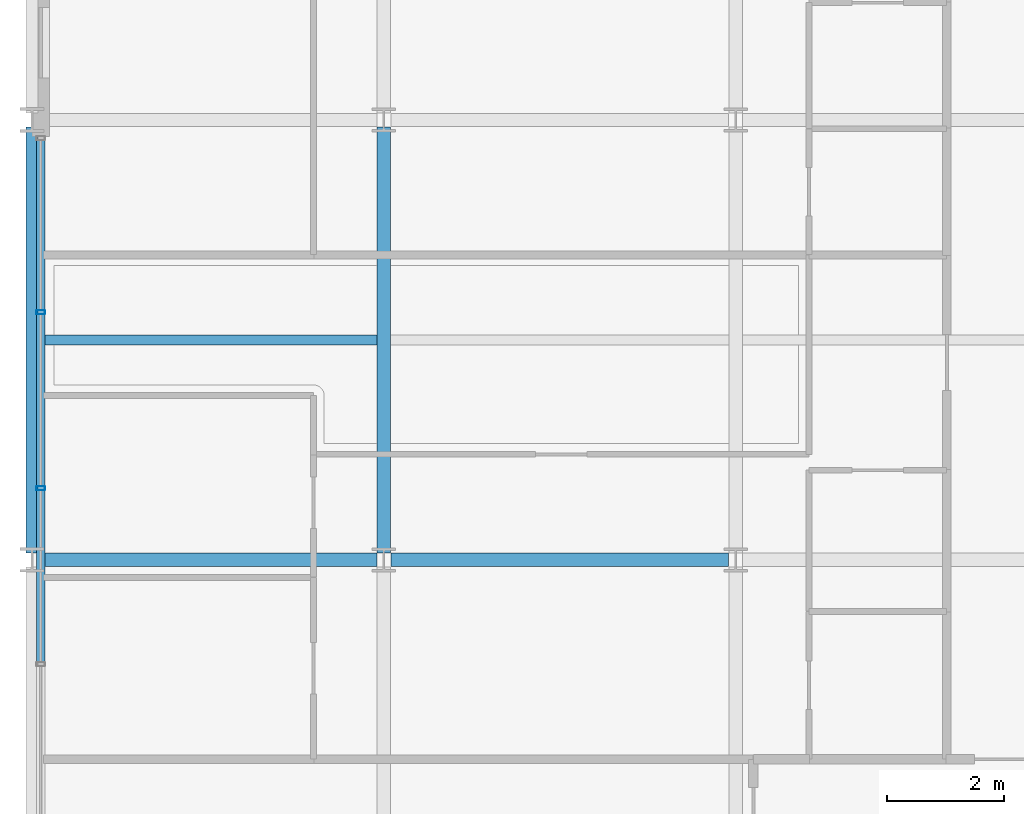
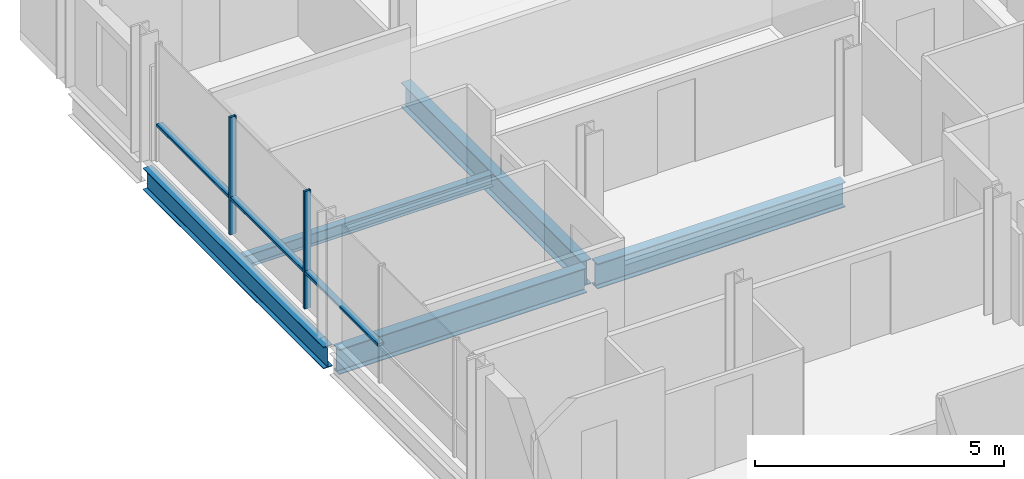
# One storey, part 7 of 41: 5 beams, 5 members, 1 element without a shape of its own.
"""IFC4 building model written with IfcOpenShell, lengths in metres."""

from ifc_helpers import new_model, si_unit, direction, frame, origin, origin_2d, place, context, subcontext, project, spatial, hollow_rectangle, i_section, extrude, material, layer, layer_set, material_profile, profile_set, type_object, element, aggregate, save


model = new_model("IFC4")

# Units and contexts
model_context = context("Model", 3, precision=1e-05, world=origin(), true_north=direction((0.0, 1.0)))
body_context = subcontext(model_context, "Body", "Model", "MODEL_VIEW")
ifc_project = project(units=[si_unit("LENGTHUNIT", "METRE"), si_unit("AREAUNIT", "SQUARE_METRE"), si_unit("VOLUMEUNIT", "CUBIC_METRE"), si_unit("PLANEANGLEUNIT", "RADIAN"), si_unit("MASSUNIT", "GRAM", prefix="KILO")], contexts=[model_context])

# Site, building, storey
site_placement = place(None, origin())
site = spatial("IfcSite", under=ifc_project, at=site_placement, CompositionType="ELEMENT")
building_placement = place(site_placement, origin())
building = spatial("IfcBuilding", under=site, at=building_placement, Name="Brevholm Reach", CompositionType="ELEMENT")
storey_placement = place(building_placement, frame((0.0, 0.0, 157.300048828125)))
storey = spatial("IfcBuildingStorey", under=building, at=storey_placement, Name="L47", CompositionType="ELEMENT", Elevation=157.300048828125)

# Beams
ifc_material_1 = material(Name="Structural Steel S355J2", Category="steel")
ifc_material_profile_1 = material_profile(ifc_material_1, i_section(OverallWidth=0.1650390625, OverallDepth=0.303466796875, WebThickness=0.006103515625, FlangeThickness=0.01025390625, FilletRadius=0.0087890625, at=origin_2d()), Name="UKB 305x165x40")
ifc_profile_set_1 = profile_set([ifc_material_profile_1], Name="Structural Steel S355J2")
beam_type_1 = type_object("IfcBeamType", Name="BM-B305", PredefinedType="BEAM", material=ifc_profile_set_1)
beam_1_placement = place(storey_placement, frame((0.104736328125, 19.75, -0.371826171875), z_axis=(1.0, 0.0, 0.0), x_axis=(0.0, 1.0, 0.0)))
element("IfcBeam", 1, at=beam_1_placement, inside=storey, type_object=beam_type_1, Name="L47 Composite Secondary Floor Beam", PredefinedType="BEAM", context=body_context, shape_type="SweptSolid", body=[
    extrude(i_section(OverallWidth=0.1650390625, OverallDepth=0.303466796875, WebThickness=0.006103515625, FlangeThickness=0.01025390625, FilletRadius=0.0087890625, at=origin_2d()), origin(), (0.0, 0.0, 1.0), 5.78076171875),
])
ifc_material_2 = material(Name="Structural Steel S355J2", Category="steel")
ifc_material_profile_2 = material_profile(ifc_material_2, i_section(OverallWidth=0.209228515625, OverallDepth=0.533203125, WebThickness=0.010009765625, FlangeThickness=0.015625, FilletRadius=0.0126953125, at=origin_2d()), Name="UKB 533x210x92")
ifc_profile_set_2 = profile_set([ifc_material_profile_2], Name="Structural Steel S355J2")
beam_type_2 = type_object("IfcBeamType", Name="BM-SP533", PredefinedType="SPANDREL", material=ifc_profile_set_2)
beam_2_placement = place(storey_placement, frame((0.0, 16.1201171875, -0.486572265625), z_axis=(0.0, 1.0, 0.0), x_axis=(-1.0, 0.0, 0.0)))
element("IfcBeam", 2, at=beam_2_placement, inside=storey, type_object=beam_type_2, Name="L47 SP-02 Framing Beam", PredefinedType="SPANDREL", context=body_context, shape_type="SweptSolid", body=[
    extrude(i_section(OverallWidth=0.209228515625, OverallDepth=0.533203125, WebThickness=0.010009765625, FlangeThickness=0.015625, FilletRadius=0.0126953125, at=origin_2d()), origin(), (0.0, 0.0, 1.0), 7.259765625),
])
ifc_material_3 = material(Name="Structural Steel S355J2", Category="steel")
ifc_material_profile_3 = material_profile(ifc_material_3, i_section(OverallWidth=0.22900390625, OverallDepth=0.6123046875, WebThickness=0.011962890625, FlangeThickness=0.01953125, FilletRadius=0.0126953125, at=origin_2d()), Name="UKB 610x229x125")
ifc_profile_set_3 = profile_set([ifc_material_profile_3], Name="Structural Steel S355J2")
beam_type_3 = type_object("IfcBeamType", Name="BM-SP610", PredefinedType="SPANDREL", material=ifc_profile_set_3)
for number, where, z_axis, x_axis, name in (
    (3, (0.1201171875, 16.0, -0.526123046875), (1.0, 0.0, 0.0), (0.0, 1.0, 0.0), "L47 SP-01 Framing Beam"),
    (4, (6.1201171875, 16.0, -0.526123046875), (1.0, 0.0, 0.0), (0.0, 1.0, 0.0), "L47 SP-01 Framing Beam"),
):
    element("IfcBeam", number, at=place(storey_placement, frame(where, z_axis=z_axis, x_axis=x_axis)), inside=storey, type_object=beam_type_3, Name=name, PredefinedType="SPANDREL", context=body_context, shape_type="SweptSolid", body=[
        extrude(i_section(OverallWidth=0.22900390625, OverallDepth=0.6123046875, WebThickness=0.011962890625, FlangeThickness=0.01953125, FilletRadius=0.0126953125, at=origin_2d()), origin(), (0.0, 0.0, 1.0), 5.759765625),
    ])
beam_3_placement = place(storey_placement, frame((6.0, 16.1201171875, -0.526123046875), z_axis=(0.0, 1.0, 0.0), x_axis=(-1.0, 0.0, 0.0)))
element("IfcBeam", 5, at=beam_3_placement, inside=storey, type_object=beam_type_3, Name="L47 SP-01 Framing Beam", PredefinedType="SPANDREL", context=body_context, shape_type="SweptSolid", body=[
    extrude(i_section(OverallWidth=0.22900390625, OverallDepth=0.6123046875, WebThickness=0.011962890625, FlangeThickness=0.01953125, FilletRadius=0.0126953125, at=origin_2d()), origin(), (0.0, 0.0, 1.0), 7.259765625),
])

# Curtain wall, members
ifc_material_4 = material(Name="Dark Anodised Aluminium 6063-T6 and Solar-Control Glass", Category="aluminium")
ifc_layer = layer(ifc_material_4, 0.14990234375)
ifc_layer_set = layer_set([ifc_layer], Name="Dark Anodised Aluminium 6063-T6 and Solar-Control Glass")
curtain_wall_type = type_object("IfcCurtainWallType", Name="CW-01", PredefinedType="NOTDEFINED", material=ifc_layer_set)
curtain_wall_placement = place(storey_placement, origin())
curtain_wall = element("IfcCurtainWall", 6, at=curtain_wall_placement, inside=storey, type_object=curtain_wall_type, Name="L47 Curtain Wall CW-01", PredefinedType="NOTDEFINED")
ifc_material_5 = material(Name="Dark Anodised Aluminium 6063-T6", Category="aluminium")
ifc_material_profile_4 = material_profile(ifc_material_5, hollow_rectangle(XDim=0.06494140625, YDim=0.14990234375, WallThickness=0.0048828125, InnerFilletRadius=0.0048828125, OuterFilletRadius=0.010009765625, at=origin_2d()), Name="RHS 150x65x5")
ifc_profile_set_4 = profile_set([ifc_material_profile_4], Name="Dark Anodised Aluminium 6063-T6")
member_type_1 = type_object("IfcMemberType", Name="CWM-150", PredefinedType="MULLION", material=ifc_profile_set_4)
member_1_placement = place(storey_placement, frame((0.14990234375, 20.219970703125, 0.0), z_axis=(0.0, 0.0, 1.0), x_axis=(0.0, -1.0, 0.0)))
member_1 = element("IfcMember", 7, at=member_1_placement, type_object=member_type_1, Name="CM-150 Mullion 2", PredefinedType="MULLION", context=body_context, shape_type="SweptSolid", body=[
    extrude(hollow_rectangle(XDim=0.06494140625, YDim=0.14990234375, WallThickness=0.0048828125, InnerFilletRadius=0.0048828125, OuterFilletRadius=0.010009765625, at=origin_2d()), origin(), (0.0, 0.0, 1.0), 2.8798828125),
])
member_2_placement = place(storey_placement, frame((0.14990234375, 17.219970703125, 0.0), z_axis=(0.0, 0.0, 1.0), x_axis=(0.0, -1.0, 0.0)))
member_2 = element("IfcMember", 8, at=member_2_placement, type_object=member_type_1, Name="CM-150 Mullion 3", PredefinedType="MULLION", context=body_context, shape_type="SweptSolid", body=[
    extrude(hollow_rectangle(XDim=0.06494140625, YDim=0.14990234375, WallThickness=0.0048828125, InnerFilletRadius=0.0048828125, OuterFilletRadius=0.010009765625, at=origin_2d()), origin(), (0.0, 0.0, 1.0), 2.8798828125),
])
ifc_material_6 = material(Name="Dark Anodised Aluminium 6063-T6", Category="aluminium")
ifc_material_profile_5 = material_profile(ifc_material_6, hollow_rectangle(XDim=0.06494140625, YDim=0.14990234375, WallThickness=0.0048828125, InnerFilletRadius=0.0048828125, OuterFilletRadius=0.010009765625, at=origin_2d()), Name="RHS 150x65x5")
ifc_profile_set_5 = profile_set([ifc_material_profile_5], Name="Dark Anodised Aluminium 6063-T6")
member_type_2 = type_object("IfcMemberType", Name="CWT-150", PredefinedType="NOTDEFINED", material=ifc_profile_set_5)
member_3_placement = place(storey_placement, frame((0.14990234375, 23.155029296875, 0.89990234375), z_axis=(0.0, -1.0, 0.0), x_axis=(0.0, 0.0, 1.0)))
member_3 = element("IfcMember", 9, at=member_3_placement, type_object=member_type_2, Name="CT-150 Transom 1.1", ObjectType="TRANSOM", PredefinedType="USERDEFINED", context=body_context, shape_type="SweptSolid", body=[
    extrude(hollow_rectangle(XDim=0.06494140625, YDim=0.14990234375, WallThickness=0.0048828125, InnerFilletRadius=0.0048828125, OuterFilletRadius=0.010009765625, at=origin_2d()), origin(), (0.0, 0.0, 1.0), 2.902587890625),
])
member_4_placement = place(storey_placement, frame((0.14990234375, 20.1875, 0.89990234375), z_axis=(0.0, -1.0, 0.0), x_axis=(0.0, 0.0, 1.0)))
member_4 = element("IfcMember", 10, at=member_4_placement, type_object=member_type_2, Name="CT-150 Transom 2.1", ObjectType="TRANSOM", PredefinedType="USERDEFINED", context=body_context, shape_type="SweptSolid", body=[
    extrude(hollow_rectangle(XDim=0.06494140625, YDim=0.14990234375, WallThickness=0.0048828125, InnerFilletRadius=0.0048828125, OuterFilletRadius=0.010009765625, at=origin_2d()), origin(), (0.0, 0.0, 1.0), 2.93505859375),
])
member_5_placement = place(storey_placement, frame((0.14990234375, 17.1875, 0.89990234375), z_axis=(0.0, -1.0, 0.0), x_axis=(0.0, 0.0, 1.0)))
member_5 = element("IfcMember", 11, at=member_5_placement, type_object=member_type_2, Name="CT-150 Transom 3.1", ObjectType="TRANSOM", PredefinedType="USERDEFINED", context=body_context, shape_type="SweptSolid", body=[
    extrude(hollow_rectangle(XDim=0.06494140625, YDim=0.14990234375, WallThickness=0.0048828125, InnerFilletRadius=0.0048828125, OuterFilletRadius=0.010009765625, at=origin_2d()), origin(), (0.0, 0.0, 1.0), 2.93505859375),
])
aggregate(curtain_wall, [member_1, member_2, member_3, member_4, member_5])

save(model, "model.ifc")
